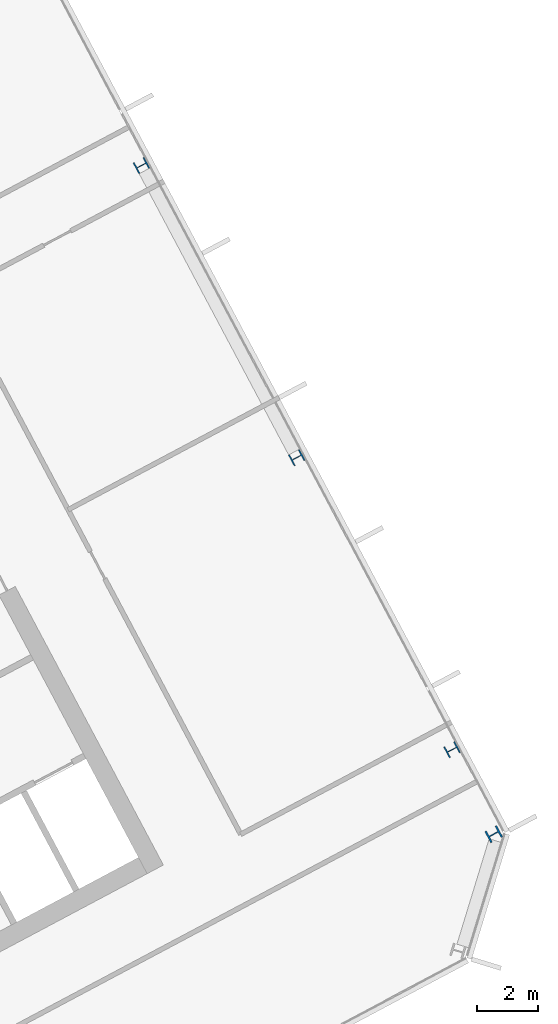
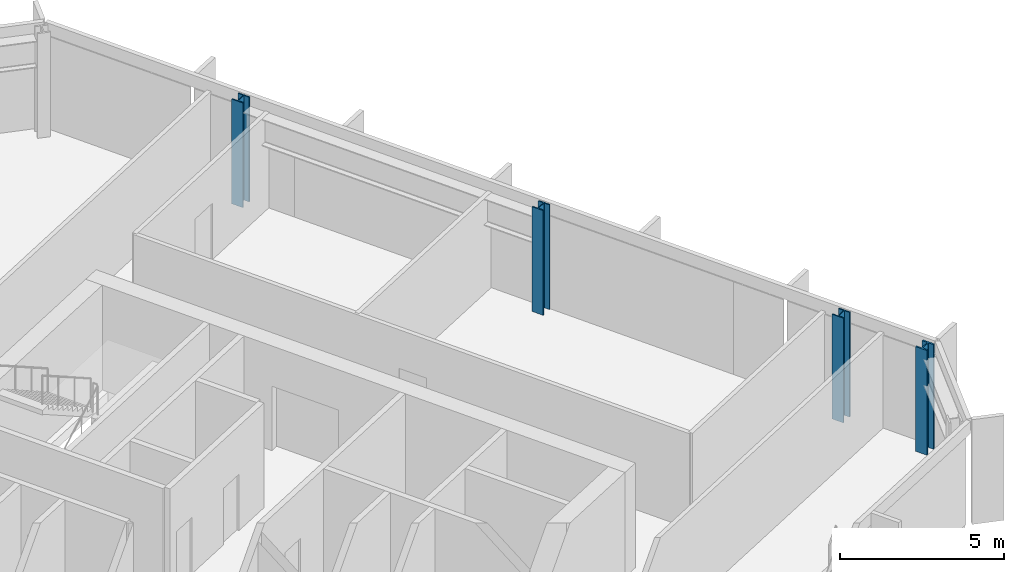
# One storey, part 7 of 26: 4 columns.
"""IFC4 building model written with IfcOpenShell, lengths in metres."""

from ifc_helpers import new_model, si_unit, direction, frame, origin, origin_2d, place, context, subcontext, project, spatial, i_section, extrude, material, material_profile, profile_set, type_object, element, save


model = new_model("IFC4")

# Units and contexts
model_context = context("Model", 3, precision=1e-05, world=origin(), true_north=direction((0.0, 1.0)))
body_context = subcontext(model_context, "Body", "Model", "MODEL_VIEW")
ifc_project = project(units=[si_unit("LENGTHUNIT", "METRE"), si_unit("AREAUNIT", "SQUARE_METRE"), si_unit("VOLUMEUNIT", "CUBIC_METRE"), si_unit("PLANEANGLEUNIT", "RADIAN"), si_unit("MASSUNIT", "GRAM", prefix="KILO")], contexts=[model_context])

# Site, building, storey
site_placement = place(None, origin())
site = spatial("IfcSite", under=ifc_project, at=site_placement, CompositionType="ELEMENT")
building_placement = place(site_placement, origin())
building = spatial("IfcBuilding", under=site, at=building_placement, Name="Cormorant Relay Tower", CompositionType="ELEMENT")
storey_placement = place(building_placement, frame((0.0, 0.0, 220.800048828125)))
storey = spatial("IfcBuildingStorey", under=building, at=storey_placement, Name="L48", CompositionType="ELEMENT", Elevation=220.800048828125)

# Columns
ifc_material_1 = material(Name="Steel ASTM A992 (Fy 345 MPa)", Category="steel")
ifc_material_profile_1 = material_profile(ifc_material_1, i_section(OverallWidth=0.40380859375, OverallDepth=0.406494140625, WebThickness=0.027099609375, FlangeThickness=0.043701171875, FilletRadius=0.01513671875, at=origin_2d()), Name="W360x347")
ifc_profile_set_1 = profile_set([ifc_material_profile_1], Name="Steel ASTM A992 (Fy 345 MPa)")
column_type_1 = type_object("IfcColumnType", Name="Column W360x347", PredefinedType="COLUMN", material=ifc_profile_set_1)
for number, where, z_axis, x_axis, name in (
    (1, (47.26611328125, 12.89990234375, 0.0), (0.0, 0.0, 1.0), (-0.469471562786, 0.882947592859, 0.0), "Column L48-026"),
    (2, (42.196044921875, 22.43603515625, 0.0), (0.0, 0.0, 1.0), (-0.469471562786, 0.882947592859, 0.0), "Column L48-029"),
    (3, (37.1259765625, 31.971923828125, 0.0), (0.0, 0.0, 1.0), (-0.469471562786, 0.882947592859, 0.0), "Column L48-036"),
):
    element("IfcColumn", number, at=place(storey_placement, frame(where, z_axis=z_axis, x_axis=x_axis)), inside=storey, type_object=column_type_1, Name=name, PredefinedType="COLUMN", context=body_context, shape_type="SweptSolid", body=[
        extrude(i_section(OverallWidth=0.40380859375, OverallDepth=0.406494140625, WebThickness=0.027099609375, FlangeThickness=0.043701171875, FilletRadius=0.01513671875, at=origin_2d()), origin(), (0.0, 0.0, 1.0), 3.89990234375),
    ])
ifc_material_2 = material(Name="Steel ASTM A992 (Fy 345 MPa)", Category="steel")
ifc_material_profile_2 = material_profile(ifc_material_2, i_section(OverallWidth=0.41162109375, OverallDepth=0.434326171875, WebThickness=0.035888671875, FlangeThickness=0.057373046875, FilletRadius=0.01513671875, at=origin_2d()), Name="W360x463")
ifc_profile_set_2 = profile_set([ifc_material_profile_2], Name="Steel ASTM A992 (Fy 345 MPa)")
column_type_2 = type_object("IfcColumnType", Name="Column W360x463", PredefinedType="COLUMN", material=ifc_profile_set_2)
column_placement = place(storey_placement, frame((48.6259765625, 10.14208984375, 0.0), z_axis=(0.0, 0.0, 1.0), x_axis=(-0.469471562786, 0.882947592859, 0.0)))
element("IfcColumn", 4, at=column_placement, inside=storey, type_object=column_type_2, Name="Column L48-021", PredefinedType="COLUMN", context=body_context, shape_type="SweptSolid", body=[
    extrude(i_section(OverallWidth=0.41162109375, OverallDepth=0.434326171875, WebThickness=0.035888671875, FlangeThickness=0.057373046875, FilletRadius=0.01513671875, at=origin_2d()), origin(), (0.0, 0.0, 1.0), 3.89990234375),
])

save(model, "model.ifc")
